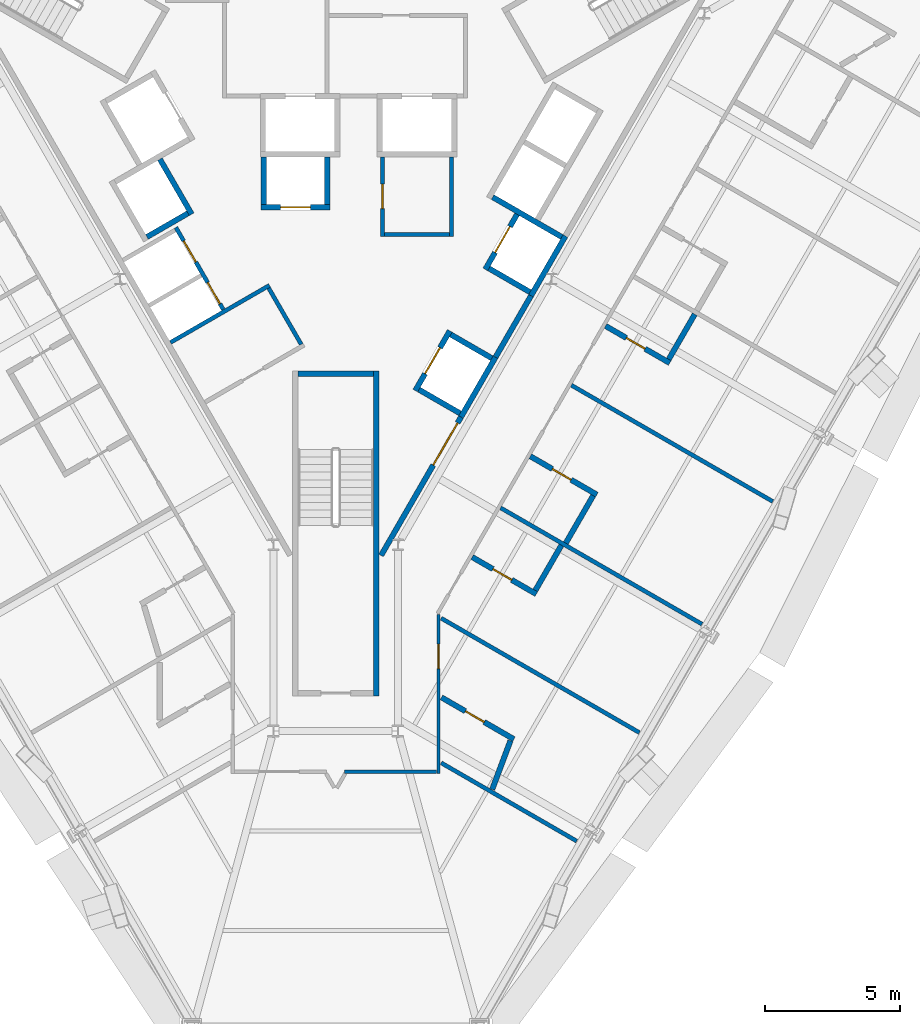
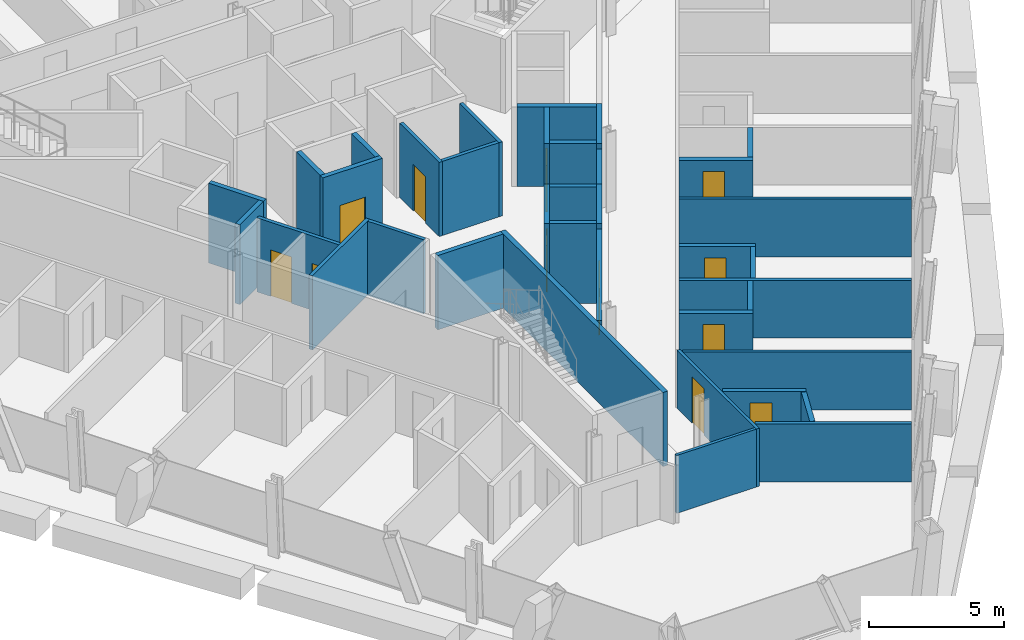
# One storey, part 9 of 15: 37 walls, 12 doors, 12 openings.
"""IFC4 building model written with IfcOpenShell, lengths in metres."""

from ifc_helpers import new_model, si_unit, direction, frame, frame_2d, origin, place, context, subcontext, project, spatial, rectangle, extrude, material, layer, layer_set, type_object, element, fill, save


model = new_model("IFC4")

# Units and contexts
model_context = context("Model", 3, precision=1e-05, world=origin(), true_north=direction((0.0, 1.0)))
body_context = subcontext(model_context, "Body", "Model", "MODEL_VIEW")
ifc_project = project(units=[si_unit("LENGTHUNIT", "METRE"), si_unit("AREAUNIT", "SQUARE_METRE"), si_unit("VOLUMEUNIT", "CUBIC_METRE"), si_unit("PLANEANGLEUNIT", "RADIAN"), si_unit("MASSUNIT", "GRAM", prefix="KILO")], contexts=[model_context])

# Site, building, storey
site_placement = place(None, origin())
site = spatial("IfcSite", under=ifc_project, at=site_placement, CompositionType="ELEMENT")
building_placement = place(site_placement, origin())
building = spatial("IfcBuilding", under=site, at=building_placement, Name="Verrane Prism Tower", CompositionType="ELEMENT")
storey_placement = place(building_placement, frame((0.0, 0.0, 44.0)))
storey = spatial("IfcBuildingStorey", under=building, at=storey_placement, Name="L08", CompositionType="ELEMENT", Elevation=44.0)

# Wall, opening, door
ifc_material_1 = material(Name="Gypsum board partition", Category="other")
ifc_layer_1 = layer(ifc_material_1, 0.199951171875)
ifc_layer_set_1 = layer_set([ifc_layer_1], Name="CW-200 core boundary wall 2 h")
wall_type_1 = type_object("IfcWallType", Name="CW-200 core boundary wall 2 h", PredefinedType="PARTITIONING", material=ifc_layer_set_1)
wall_1_placement = place(storey_placement, frame((1.677490234375, -14.814697265625, 0.0), z_axis=(0.0, 0.0, 1.0), x_axis=(0.49999445743, 0.866028603765, 0.0)))
wall_1 = element("IfcWall", 1, at=wall_1_placement, inside=storey, type_object=wall_type_1, Name="Core boundary wall CW3-010", PredefinedType="PARTITIONING", context=body_context, shape_type="SweptSolid", body=[
    extrude(rectangle(XDim=5.90478515625, YDim=0.199951171875, at=frame_2d((2.952392578125, 0.0))), origin(), (0.0, 0.0, 1.0), 3.35009765625),
])
opening_1_placement = place(wall_1_placement, frame((3.85498046875, 0.0, 0.0)))
opening_1 = element("IfcOpeningElement", 2, at=opening_1_placement, cuts=wall_1, Name="Opening D06530", PredefinedType="OPENING", context=body_context, shape_type="SweptSolid", body=[
    extrude(rectangle(XDim=1.800048828125, YDim=2.10009765625, at=frame_2d((0.89990234375, 1.050048828125))), frame((0.0, 0.10986328125, 0.0), z_axis=(0.0, -1.0, 0.0), x_axis=(1.0, 0.0, 0.0)), (0.0, 0.0, 1.0), 0.219970703125),
])
ifc_material_2 = material(Name="Timber veneered door leaf", Category="wood")
door_type_1 = type_object("IfcDoorType", Name="DR-1800x2100 FD60 double leaf lift lobby", OperationType="NOTDEFINED", PredefinedType="DOOR", material=ifc_material_2)
door_1_placement = place(opening_1_placement, origin())
door_1 = element("IfcDoor", 3, at=door_1_placement, inside=storey, type_object=door_type_1, Name="Lift lobby door D06530", OperationType="DOUBLE_DOOR_SINGLE_SWING", OverallHeight=2.10009765625, OverallWidth=1.800048828125, PredefinedType="DOOR", context=body_context, shape_type="SweptSolid", body=[
    extrude(rectangle(XDim=1.800048828125, YDim=2.10009765625, at=frame_2d((0.89990234375, 1.050048828125))), frame((0.0, 0.02490234375, 0.0), z_axis=(0.0, -1.0, 0.0), x_axis=(1.0, 0.0, 0.0)), (0.0, 0.0, 1.0), 0.050048828125),
])
fill(opening_1, door_1)

# Walls
wall_2_placement = place(storey_placement, frame((5.906005859375, -7.489990234375, 0.0), z_axis=(0.0, 0.0, 1.0), x_axis=(0.500252727967, 0.865879442048, 0.0)))
element("IfcWall", 4, at=wall_2_placement, inside=storey, type_object=wall_type_1, Name="Core boundary wall CW3-012", PredefinedType="PARTITIONING", context=body_context, shape_type="SweptSolid", body=[
    extrude(rectangle(XDim=2.616943359375, YDim=0.199951171875, at=frame_2d((1.30859375, 0.0))), origin(), (0.0, 0.0, 1.0), 3.35009765625),
])
ifc_material_3 = material(Name="Concrete C40/50", Category="concrete")
ifc_layer_2 = layer(ifc_material_3, 0.199951171875)
ifc_layer_set_2 = layer_set([ifc_layer_2], Name="CW-200 stair core wall concrete C40/50 3 h")
wall_type_2 = type_object("IfcWallType", Name="CW-200 stair core wall concrete C40/50 3 h", PredefinedType="PARTITIONING", material=ifc_layer_set_2)
wall_3_placement = place(storey_placement, frame((1.5, -8.0, 0.0), z_axis=(0.0, 0.0, 1.0), x_axis=(0.0, -1.0, 0.0)))
element("IfcWall", 5, at=wall_3_placement, inside=storey, type_object=wall_type_2, Name="Stair 3 enclosure wall", PredefinedType="PARTITIONING", context=body_context, shape_type="SweptSolid", body=[
    extrude(rectangle(XDim=12.0, YDim=0.199951171875, at=frame_2d((6.0, 0.0))), origin(), (0.0, 0.0, 1.0), 3.35009765625),
])
wall_4_placement = place(storey_placement, frame((-1.39990234375, -8.10009765625, 0.0), z_axis=(0.0, 0.0, 1.0), x_axis=(1.0, 0.0, 0.0)))
element("IfcWall", 6, at=wall_4_placement, inside=storey, type_object=wall_type_2, Name="Stair 3 enclosure wall", PredefinedType="PARTITIONING", context=body_context, shape_type="SweptSolid", body=[
    extrude(rectangle(XDim=2.7998046875, YDim=0.199951171875, at=frame_2d((1.39990234375, 0.0))), origin(), (0.0, 0.0, 1.0), 3.35009765625),
])

# Wall, opening, door
ifc_material_4 = material(Name="Gypsum board shaft wall assembly", Category="other")
ifc_layer_3 = layer(ifc_material_4, 0.199951171875)
ifc_layer_set_3 = layer_set([ifc_layer_3], Name="HW-200 lift shaft wall 2 h")
wall_type_3 = type_object("IfcWallType", Name="HW-200 lift shaft wall 2 h", PredefinedType="PARTITIONING", material=ifc_layer_set_3)
wall_5_placement = place(storey_placement, frame((-2.7548828125, -1.949951171875, 0.0), z_axis=(0.0, 0.0, 1.0), x_axis=(1.0, 0.0, 0.0)))
wall_5 = element("IfcWall", 7, at=wall_5_placement, inside=storey, type_object=wall_type_3, Name="Lift shaft wall", PredefinedType="PARTITIONING", context=body_context, shape_type="SweptSolid", body=[
    extrude(rectangle(XDim=2.5498046875, YDim=0.199951171875, at=frame_2d((1.27490234375, 0.0))), origin(), (0.0, 0.0, 1.0), 3.60009765625),
])
opening_2_placement = place(wall_5_placement, frame((0.72509765625, 0.0, 0.0)))
opening_2 = element("IfcOpeningElement", 8, at=opening_2_placement, cuts=wall_5, Name="Opening D06508", PredefinedType="OPENING", context=body_context, shape_type="SweptSolid", body=[
    extrude(rectangle(XDim=1.10009765625, YDim=2.10009765625, at=frame_2d((0.550048828125, 1.050048828125))), frame((0.0, 0.10986328125, 0.0), z_axis=(0.0, -1.0, 0.0), x_axis=(1.0, 0.0, 0.0)), (0.0, 0.0, 1.0), 0.219970703125),
])
ifc_material_5 = material(Name="Stainless steel sliding landing door", Category="steel")
door_type_2 = type_object("IfcDoorType", Name="LD-1100x2100 lift landing door FD90 sliding", OperationType="NOTDEFINED", PredefinedType="DOOR", material=ifc_material_5)
door_2_placement = place(opening_2_placement, origin())
door_2 = element("IfcDoor", 9, at=door_2_placement, inside=storey, type_object=door_type_2, Name="Bank A lift 2 landing door", OperationType="SLIDING_TO_RIGHT", OverallHeight=2.10009765625, OverallWidth=1.10009765625, PredefinedType="DOOR", context=body_context, shape_type="SweptSolid", body=[
    extrude(rectangle(XDim=1.10009765625, YDim=2.10009765625, at=frame_2d((0.550048828125, 1.050048828125))), frame((0.0, 0.02490234375, 0.0), z_axis=(0.0, -1.0, 0.0), x_axis=(1.0, 0.0, 0.0)), (0.0, 0.0, 1.0), 0.050048828125),
])
fill(opening_2, door_2)

# Walls
wall_6_placement = place(storey_placement, frame((-6.9697265625, -3.048095703125, 0.0), z_axis=(0.0, 0.0, 1.0), x_axis=(0.866036909293, 0.499980071345, 0.0)))
element("IfcWall", 10, at=wall_6_placement, inside=storey, type_object=wall_type_3, Name="Lift shaft wall", PredefinedType="PARTITIONING", context=body_context, shape_type="SweptSolid", body=[
    extrude(rectangle(XDim=1.75, YDim=0.199951171875, at=frame_2d((0.875, 0.0))), origin(), (0.0, 0.0, 1.0), 3.60009765625),
])
wall_7_placement = place(storey_placement, frame((4.63037109375, -9.69970703125, 0.0), z_axis=(0.0, 0.0, 1.0), x_axis=(0.500062241894, 0.865989465428, 0.0)))
element("IfcWall", 11, at=wall_7_placement, inside=storey, type_object=wall_type_3, Name="Lift shaft wall", PredefinedType="PARTITIONING", context=body_context, shape_type="SweptSolid", body=[
    extrude(rectangle(XDim=2.550048828125, YDim=0.199951171875, at=frame_2d((1.27490234375, 0.0))), origin(), (0.0, 0.0, 1.0), 3.60009765625),
])
wall_8_placement = place(storey_placement, frame((7.215576171875, -5.222412109375, 0.0), z_axis=(0.0, 0.0, 1.0), x_axis=(0.499990435942, 0.866030925526, 0.0)))
element("IfcWall", 12, at=wall_8_placement, inside=storey, type_object=wall_type_3, Name="Lift shaft wall", PredefinedType="PARTITIONING", context=body_context, shape_type="SweptSolid", body=[
    extrude(rectangle(XDim=2.5498046875, YDim=0.199951171875, at=frame_2d((1.27490234375, 0.0))), origin(), (0.0, 0.0, 1.0), 3.60009765625),
])

# Wall, opening, door
wall_9_placement = place(storey_placement, frame((2.941650390625, -8.724853515625, 0.0), z_axis=(0.0, 0.0, 1.0), x_axis=(0.500020783669, 0.866013403995, 0.0)))
wall_9 = element("IfcWall", 13, at=wall_9_placement, inside=storey, type_object=wall_type_3, Name="Lift shaft wall", PredefinedType="PARTITIONING", context=body_context, shape_type="SweptSolid", body=[
    extrude(rectangle(XDim=2.55029296875, YDim=0.199951171875, at=frame_2d((1.275146484375, 0.0))), origin(), (0.0, 0.0, 1.0), 3.60009765625),
])
opening_3_placement = place(wall_9_placement, frame((0.72509765625, 0.0, 0.0)))
opening_3 = element("IfcOpeningElement", 14, at=opening_3_placement, cuts=wall_9, Name="Opening D06510", PredefinedType="OPENING", context=body_context, shape_type="SweptSolid", body=[
    extrude(rectangle(XDim=1.10009765625, YDim=2.10009765625, at=frame_2d((0.550048828125, 1.050048828125))), frame((0.0, 0.10986328125, 0.0), z_axis=(0.0, -1.0, 0.0), x_axis=(1.0, 0.0, 0.0)), (0.0, 0.0, 1.0), 0.219970703125),
])
door_3_placement = place(opening_3_placement, origin())
door_3 = element("IfcDoor", 15, at=door_3_placement, inside=storey, type_object=door_type_2, Name="Bank A lift 4 landing door", OperationType="SLIDING_TO_RIGHT", OverallHeight=2.10009765625, OverallWidth=1.10009765625, PredefinedType="DOOR", context=body_context, shape_type="SweptSolid", body=[
    extrude(rectangle(XDim=1.10009765625, YDim=2.10009765625, at=frame_2d((0.550048828125, 1.050048828125))), frame((0.0, 0.02490234375, 0.0), z_axis=(0.0, -1.0, 0.0), x_axis=(1.0, 0.0, 0.0)), (0.0, 0.0, 1.0), 0.050048828125),
])
fill(opening_3, door_3)

wall_10_placement = place(storey_placement, frame((5.52685546875, -4.247314453125, 0.0), z_axis=(0.0, 0.0, 1.0), x_axis=(0.499938297808, 0.866061024631, 0.0)))
wall_10 = element("IfcWall", 16, at=wall_10_placement, inside=storey, type_object=wall_type_3, Name="Lift shaft wall", PredefinedType="PARTITIONING", context=body_context, shape_type="SweptSolid", body=[
    extrude(rectangle(XDim=2.349853515625, YDim=0.199951171875, at=frame_2d((1.1748046875, 0.0))), origin(), (0.0, 0.0, 1.0), 3.60009765625),
])
opening_4_placement = place(wall_10_placement, frame((0.72509765625, 0.0, 0.0)))
opening_4 = element("IfcOpeningElement", 17, at=opening_4_placement, cuts=wall_10, Name="Opening D06511", PredefinedType="OPENING", context=body_context, shape_type="SweptSolid", body=[
    extrude(rectangle(XDim=1.10009765625, YDim=2.10009765625, at=frame_2d((0.550048828125, 1.050048828125))), frame((0.0, 0.10986328125, 0.0), z_axis=(0.0, -1.0, 0.0), x_axis=(1.0, 0.0, 0.0)), (0.0, 0.0, 1.0), 0.219970703125),
])
door_4_placement = place(opening_4_placement, origin())
door_4 = element("IfcDoor", 18, at=door_4_placement, inside=storey, type_object=door_type_2, Name="Bank A lift 5 landing door", OperationType="SLIDING_TO_LEFT", OverallHeight=2.10009765625, OverallWidth=1.10009765625, PredefinedType="DOOR", context=body_context, shape_type="SweptSolid", body=[
    extrude(rectangle(XDim=1.10009765625, YDim=2.10009765625, at=frame_2d((0.550048828125, 1.050048828125))), frame((0.0, 0.02490234375, 0.0), z_axis=(0.0, -1.0, 0.0), x_axis=(1.0, 0.0, 0.0)), (0.0, 0.0, 1.0), 0.050048828125),
])
fill(opening_4, door_4)

# Walls
for number, where, z_axis, x_axis, name in (
    (19, (-0.304931640625, -1.85009765625, 0.0), (0.0, 0.0, 1.0), (0.0, 1.0, 0.0), "Lift shaft wall"),
    (20, (-2.655029296875, -1.85009765625, 0.0), (0.0, 0.0, 1.0), (0.0, 1.0, 0.0), "Lift shaft wall"),
):
    element("IfcWall", number, at=place(storey_placement, frame(where, z_axis=z_axis, x_axis=x_axis)), inside=storey, type_object=wall_type_3, Name=name, PredefinedType="PARTITIONING", context=body_context, shape_type="SweptSolid", body=[
        extrude(rectangle(XDim=1.75, YDim=0.199951171875, at=frame_2d((0.875, 0.0))), origin(), (0.0, 0.0, 1.0), 3.60009765625),
    ])
wall_11_placement = place(storey_placement, frame((-5.317626953125, -2.209716796875, 0.0), z_axis=(0.0, 0.0, 1.0), x_axis=(-0.499938297808, 0.866061024631, 0.0)))
element("IfcWall", 21, at=wall_11_placement, inside=storey, type_object=wall_type_3, Name="Lift shaft wall", PredefinedType="PARTITIONING", context=body_context, shape_type="SweptSolid", body=[
    extrude(rectangle(XDim=2.349853515625, YDim=0.199951171875, at=frame_2d((1.1748046875, 0.0))), origin(), (0.0, 0.0, 1.0), 3.60009765625),
])
wall_12_placement = place(storey_placement, frame((8.35400390625, -3.050537109375, 0.0), z_axis=(0.0, 0.0, 1.0), x_axis=(-0.866060182126, 0.499939757307, 0.0)))
element("IfcWall", 22, at=wall_12_placement, inside=storey, type_object=wall_type_3, Name="Lift shaft wall", PredefinedType="PARTITIONING", context=body_context, shape_type="SweptSolid", body=[
    extrude(rectangle(XDim=2.949951171875, YDim=0.199951171875, at=frame_2d((1.47509765625, 0.0))), origin(), (0.0, 0.0, 1.0), 3.60009765625),
])
wall_13_placement = place(storey_placement, frame((7.178955078125, -5.085693359375, 0.0), z_axis=(0.0, 0.0, 1.0), x_axis=(-0.866036909293, 0.499980071345, 0.0)))
element("IfcWall", 23, at=wall_13_placement, inside=storey, type_object=wall_type_3, Name="Lift shaft wall", PredefinedType="PARTITIONING", context=body_context, shape_type="SweptSolid", body=[
    extrude(rectangle(XDim=1.75, YDim=0.199951171875, at=frame_2d((0.875, 0.0))), origin(), (0.0, 0.0, 1.0), 3.60009765625),
])
wall_14_placement = place(storey_placement, frame((5.768798828125, -7.528076171875, 0.0), z_axis=(0.0, 0.0, 1.0), x_axis=(-0.866002029911, 0.500040482552, 0.0)))
element("IfcWall", 24, at=wall_14_placement, inside=storey, type_object=wall_type_3, Name="Lift shaft wall", PredefinedType="PARTITIONING", context=body_context, shape_type="SweptSolid", body=[
    extrude(rectangle(XDim=1.749755859375, YDim=0.199951171875, at=frame_2d((0.875, 0.0))), origin(), (0.0, 0.0, 1.0), 3.60009765625),
])
wall_15_placement = place(storey_placement, frame((4.593994140625, -9.563232421875, 0.0), z_axis=(0.0, 0.0, 1.0), x_axis=(-0.866036909293, 0.499980071345, 0.0)))
element("IfcWall", 25, at=wall_15_placement, inside=storey, type_object=wall_type_3, Name="Lift shaft wall", PredefinedType="PARTITIONING", context=body_context, shape_type="SweptSolid", body=[
    extrude(rectangle(XDim=1.75, YDim=0.199951171875, at=frame_2d((0.875, 0.0))), origin(), (0.0, 0.0, 1.0), 3.60009765625),
])
ifc_material_6 = material(Name="Gypsum board partition", Category="other")
ifc_layer_4 = layer(ifc_material_6, 0.125)
ifc_layer_set_4 = layer_set([ifc_layer_4], Name="PW-125 corridor wall 1 h")
wall_type_4 = type_object("IfcWallType", Name="PW-125 corridor wall 1 h", PredefinedType="PARTITIONING", material=ifc_layer_set_4)
wall_16_placement = place(storey_placement, frame((0.33251953125, -22.797119140625, 0.0), z_axis=(0.0, 0.0, 1.0), x_axis=(1.0, 0.0, 0.0)))
element("IfcWall", 26, at=wall_16_placement, inside=storey, type_object=wall_type_4, Name="Corridor wall 056", PredefinedType="PARTITIONING", context=body_context, shape_type="SweptSolid", body=[
    extrude(rectangle(XDim=3.3994140625, YDim=0.125, at=frame_2d((1.69970703125, 0.0))), origin(), (0.0, 0.0, 1.0), 2.613037109375),
])

# Wall, opening, door
wall_17_placement = place(storey_placement, frame((3.797119140625, -16.989013671875, 0.0), z_axis=(0.0, 0.0, 1.0), x_axis=(0.0, -1.0, 0.0)))
wall_17 = element("IfcWall", 27, at=wall_17_placement, inside=storey, type_object=wall_type_4, Name="Corridor wall 058", PredefinedType="PARTITIONING", context=body_context, shape_type="SweptSolid", body=[
    extrude(rectangle(XDim=5.87060546875, YDim=0.125, at=frame_2d((2.935302734375, 0.0))), origin(), (0.0, 0.0, 1.0), 2.613037109375),
])
opening_5_placement = place(wall_17_placement, frame((1.10302734375, 0.0, 0.0)))
opening_5 = element("IfcOpeningElement", 28, at=opening_5_placement, cuts=wall_17, Name="Opening D06034", PredefinedType="OPENING", context=body_context, shape_type="SweptSolid", body=[
    extrude(rectangle(XDim=0.89990234375, YDim=2.10009765625, at=frame_2d((0.449951171875, 1.050048828125))), frame((0.0, 0.072509765625, 0.0), z_axis=(0.0, -1.0, 0.0), x_axis=(1.0, 0.0, 0.0)), (0.0, 0.0, 1.0), 0.14501953125),
])
ifc_material_7 = material(Name="Timber veneered door leaf", Category="wood")
door_type_3 = type_object("IfcDoorType", Name="DR-900x2100 FD20 single leaf unit", OperationType="NOTDEFINED", PredefinedType="DOOR", material=ifc_material_7)
door_5_placement = place(opening_5_placement, origin())
door_5 = element("IfcDoor", 29, at=door_5_placement, inside=storey, type_object=door_type_3, Name="Guest Room door", OperationType="SINGLE_SWING_LEFT", OverallHeight=2.10009765625, OverallWidth=0.89990234375, PredefinedType="DOOR", context=body_context, shape_type="SweptSolid", body=[
    extrude(rectangle(XDim=0.89990234375, YDim=2.10009765625, at=frame_2d((0.449951171875, 1.050048828125))), frame((0.0, 0.02490234375, 0.0), z_axis=(0.0, -1.0, 0.0), x_axis=(1.0, 0.0, 0.0)), (0.0, 0.0, 1.0), 0.050048828125),
])
fill(opening_5, door_5)

# Walls
ifc_material_8 = material(Name="Gypsum board partition", Category="other")
ifc_layer_5 = layer(ifc_material_8, 0.14990234375)
ifc_layer_set_5 = layer_set([ifc_layer_5], Name="PW-150 demising wall 1 h")
wall_type_5 = type_object("IfcWallType", Name="PW-150 demising wall 1 h", PredefinedType="PARTITIONING", material=ifc_layer_set_5)
wall_18_placement = place(storey_placement, frame((3.89697265625, -22.474853515625, 0.0), z_axis=(0.0, 0.0, 1.0), x_axis=(0.866025977343, -0.499999006567, 0.0)))
element("IfcWall", 30, at=wall_18_placement, inside=storey, type_object=wall_type_5, Name="Demising wall 059", PredefinedType="PARTITIONING", context=body_context, shape_type="SweptSolid", body=[
    extrude(rectangle(XDim=5.7822265625, YDim=0.14990234375, at=frame_2d((2.89111328125, 0.0))), origin(), (0.0, 0.0, 1.0), 2.613037109375),
])
wall_19_placement = place(storey_placement, frame((3.89697265625, -17.1318359375, 0.0), z_axis=(0.0, 0.0, 1.0), x_axis=(0.866084603656, -0.499897448793, 0.0)))
element("IfcWall", 31, at=wall_19_placement, inside=storey, type_object=wall_type_5, Name="Demising wall 061", PredefinedType="PARTITIONING", context=body_context, shape_type="SweptSolid", body=[
    extrude(rectangle(XDim=8.453857421875, YDim=0.14990234375, at=frame_2d((4.22705078125, 0.0))), origin(), (0.0, 0.0, 1.0), 2.613037109375),
])
wall_20_placement = place(storey_placement, frame((6.092041015625, -13.05517578125, 0.0), z_axis=(0.0, 0.0, 1.0), x_axis=(0.866002910178, -0.500038958046, 0.0)))
element("IfcWall", 32, at=wall_20_placement, inside=storey, type_object=wall_type_5, Name="Demising wall 066", PredefinedType="PARTITIONING", context=body_context, shape_type="SweptSolid", body=[
    extrude(rectangle(XDim=8.591064453125, YDim=0.14990234375, at=frame_2d((4.29541015625, 0.0))), origin(), (0.0, 0.0, 1.0), 2.613037109375),
])
wall_21_placement = place(storey_placement, frame((8.70703125, -8.525146484375, 0.0), z_axis=(0.0, 0.0, 1.0), x_axis=(0.866036528751, -0.499980730498, 0.0)))
element("IfcWall", 33, at=wall_21_placement, inside=storey, type_object=wall_type_5, Name="Demising wall 072", PredefinedType="PARTITIONING", context=body_context, shape_type="SweptSolid", body=[
    extrude(rectangle(XDim=8.591552734375, YDim=0.14990234375, at=frame_2d((4.2958984375, 0.0))), origin(), (0.0, 0.0, 1.0), 2.613037109375),
])

# Wall, opening, door
ifc_material_9 = material(Name="Gypsum board partition", Category="other")
ifc_layer_6 = layer(ifc_material_9, 0.199951171875)
ifc_layer_set_6 = layer_set([ifc_layer_6], Name="PW-200 plumbing wall")
wall_type_6 = type_object("IfcWallType", Name="PW-200 plumbing wall", PredefinedType="PARTITIONING", material=ifc_layer_set_6)
wall_22_placement = place(storey_placement, frame((6.58349609375, -21.60107421875, 0.0), z_axis=(0.0, 0.0, 1.0), x_axis=(-0.865981493415, 0.500076047279, 0.0)))
wall_22 = element("IfcWall", 34, at=wall_22_placement, inside=storey, type_object=wall_type_6, Name="Plumbing wall 060", PredefinedType="PARTITIONING", context=body_context, shape_type="SweptSolid", body=[
    extrude(rectangle(XDim=3.087890625, YDim=0.199951171875, at=frame_2d((1.5439453125, 0.0))), origin(), (0.0, 0.0, 1.0), 2.613037109375),
])
opening_6_placement = place(wall_22_placement, frame((1.267822265625, 0.0, 0.0)))
opening_6 = element("IfcOpeningElement", 35, at=opening_6_placement, cuts=wall_22, Name="Opening D06035", PredefinedType="OPENING", context=body_context, shape_type="SweptSolid", body=[
    extrude(rectangle(XDim=0.800048828125, YDim=2.10009765625, at=frame_2d((0.39990234375, 1.050048828125))), frame((0.0, 0.10986328125, 0.0), z_axis=(0.0, -1.0, 0.0), x_axis=(1.0, 0.0, 0.0)), (0.0, 0.0, 1.0), 0.219970703125),
])
ifc_material_10 = material(Name="Timber veneered door leaf", Category="wood")
door_type_4 = type_object("IfcDoorType", Name="DR-800x2100 single leaf bath", OperationType="NOTDEFINED", PredefinedType="DOOR", material=ifc_material_10)
door_6_placement = place(opening_6_placement, origin())
door_6 = element("IfcDoor", 36, at=door_6_placement, inside=storey, type_object=door_type_4, Name="En-Suite door", OperationType="SINGLE_SWING_RIGHT", OverallHeight=2.10009765625, OverallWidth=0.800048828125, PredefinedType="DOOR", context=body_context, shape_type="SweptSolid", body=[
    extrude(rectangle(XDim=0.800048828125, YDim=2.10009765625, at=frame_2d((0.39990234375, 1.050048828125))), frame((0.0, 0.02490234375, 0.0), z_axis=(0.0, -1.0, 0.0), x_axis=(1.0, 0.0, 0.0)), (0.0, 0.0, 1.0), 0.050048828125),
])
fill(opening_6, door_6)

wall_23_placement = place(storey_placement, frame((5.042236328125, -14.873291015625, 0.0), z_axis=(0.0, 0.0, 1.0), x_axis=(0.866005850709, -0.50003386539, 0.0)))
wall_23 = element("IfcWall", 37, at=wall_23_placement, inside=storey, type_object=wall_type_6, Name="Plumbing wall 063", PredefinedType="PARTITIONING", context=body_context, shape_type="SweptSolid", body=[
    extrude(rectangle(XDim=2.737060546875, YDim=0.199951171875, at=frame_2d((1.36865234375, 0.0))), origin(), (0.0, 0.0, 1.0), 2.613037109375),
])
opening_7_placement = place(wall_23_placement, frame((0.887451171875, 0.0, 0.0)))
opening_7 = element("IfcOpeningElement", 38, at=opening_7_placement, cuts=wall_23, Name="Opening D06037", PredefinedType="OPENING", context=body_context, shape_type="SweptSolid", body=[
    extrude(rectangle(XDim=0.800048828125, YDim=2.10009765625, at=frame_2d((0.39990234375, 1.050048828125))), frame((0.0, 0.10986328125, 0.0), z_axis=(0.0, -1.0, 0.0), x_axis=(1.0, 0.0, 0.0)), (0.0, 0.0, 1.0), 0.219970703125),
])
door_7_placement = place(opening_7_placement, origin())
door_7 = element("IfcDoor", 39, at=door_7_placement, inside=storey, type_object=door_type_4, Name="En-Suite door", OperationType="SINGLE_SWING_LEFT", OverallHeight=2.10009765625, OverallWidth=0.800048828125, PredefinedType="DOOR", context=body_context, shape_type="SweptSolid", body=[
    extrude(rectangle(XDim=0.800048828125, YDim=2.10009765625, at=frame_2d((0.39990234375, 1.050048828125))), frame((0.0, 0.02490234375, 0.0), z_axis=(0.0, -1.0, 0.0), x_axis=(1.0, 0.0, 0.0)), (0.0, 0.0, 1.0), 0.050048828125),
])
fill(opening_7, door_7)

# Wall
wall_24_placement = place(storey_placement, frame((5.782470703125, -23.457275390625, 0.0), z_axis=(0.0, 0.0, 1.0), x_axis=(0.350942351116, 0.936397066523, 0.0)))
element("IfcWall", 40, at=wall_24_placement, inside=storey, type_object=wall_type_6, Name="Plumbing wall 065", PredefinedType="PARTITIONING", context=body_context, shape_type="SweptSolid", body=[
    extrude(rectangle(XDim=1.920654296875, YDim=0.199951171875, at=frame_2d((0.96044921875, 0.0))), origin(), (0.0, 0.0, 1.0), 2.613037109375),
])

# Wall, opening, door
wall_25_placement = place(storey_placement, frame((9.649658203125, -12.569091796875, 0.0), z_axis=(0.0, 0.0, 1.0), x_axis=(-0.866010792954, 0.500025305846, 0.0)))
wall_25 = element("IfcWall", 41, at=wall_25_placement, inside=storey, type_object=wall_type_6, Name="Plumbing wall 067", PredefinedType="PARTITIONING", context=body_context, shape_type="SweptSolid", body=[
    extrude(rectangle(XDim=2.837646484375, YDim=0.199951171875, at=frame_2d((1.4189453125, 0.0))), origin(), (0.0, 0.0, 1.0), 2.613037109375),
])
opening_8_placement = place(wall_25_placement, frame((1.10009765625, 0.0, 0.0)))
opening_8 = element("IfcOpeningElement", 42, at=opening_8_placement, cuts=wall_25, Name="Opening D06039", PredefinedType="OPENING", context=body_context, shape_type="SweptSolid", body=[
    extrude(rectangle(XDim=0.800048828125, YDim=2.10009765625, at=frame_2d((0.39990234375, 1.050048828125))), frame((0.0, 0.10986328125, 0.0), z_axis=(0.0, -1.0, 0.0), x_axis=(1.0, 0.0, 0.0)), (0.0, 0.0, 1.0), 0.219970703125),
])
door_8_placement = place(opening_8_placement, origin())
door_8 = element("IfcDoor", 43, at=door_8_placement, inside=storey, type_object=door_type_4, Name="En-Suite door", OperationType="SINGLE_SWING_RIGHT", OverallHeight=2.10009765625, OverallWidth=0.800048828125, PredefinedType="DOOR", context=body_context, shape_type="SweptSolid", body=[
    extrude(rectangle(XDim=0.800048828125, YDim=2.10009765625, at=frame_2d((0.39990234375, 1.050048828125))), frame((0.0, 0.02490234375, 0.0), z_axis=(0.0, -1.0, 0.0), x_axis=(1.0, 0.0, 0.0)), (0.0, 0.0, 1.0), 0.050048828125),
])
fill(opening_8, door_8)

# Walls
wall_26_placement = place(storey_placement, frame((7.3759765625, -16.10546875, 0.0), z_axis=(0.0, 0.0, 1.0), x_axis=(0.500095816526, 0.865970077019, 0.0)))
element("IfcWall", 44, at=wall_26_placement, inside=storey, type_object=wall_type_6, Name="Plumbing wall 068", PredefinedType="PARTITIONING", context=body_context, shape_type="SweptSolid", body=[
    extrude(rectangle(XDim=1.92431640625, YDim=0.199951171875, at=frame_2d((0.962158203125, 0.0))), origin(), (0.0, 0.0, 1.0), 2.613037109375),
])
wall_27_placement = place(storey_placement, frame((8.50048828125, -14.359130859375, 0.0), z_axis=(0.0, 0.0, 1.0), x_axis=(0.500042536776, 0.866000843773, 0.0)))
element("IfcWall", 45, at=wall_27_placement, inside=storey, type_object=wall_type_6, Name="Plumbing wall 069", PredefinedType="PARTITIONING", context=body_context, shape_type="SweptSolid", body=[
    extrude(rectangle(XDim=2.024658203125, YDim=0.199951171875, at=frame_2d((1.01220703125, 0.0))), origin(), (0.0, 0.0, 1.0), 2.613037109375),
])

# Wall, opening, door
wall_28_placement = place(storey_placement, frame((9.97119140625, -6.336181640625, 0.0), z_axis=(0.0, 0.0, 1.0), x_axis=(0.86596722502, -0.50010075504, 0.0)))
wall_28 = element("IfcWall", 46, at=wall_28_placement, inside=storey, type_object=wall_type_6, Name="Plumbing wall 073", PredefinedType="PARTITIONING", context=body_context, shape_type="SweptSolid", body=[
    extrude(rectangle(XDim=2.7373046875, YDim=0.199951171875, at=frame_2d((1.36865234375, 0.0))), origin(), (0.0, 0.0, 1.0), 2.613037109375),
])
opening_9_placement = place(wall_28_placement, frame((0.887451171875, 0.0, 0.0)))
opening_9 = element("IfcOpeningElement", 47, at=opening_9_placement, cuts=wall_28, Name="Opening D06041", PredefinedType="OPENING", context=body_context, shape_type="SweptSolid", body=[
    extrude(rectangle(XDim=0.800048828125, YDim=2.10009765625, at=frame_2d((0.39990234375, 1.050048828125))), frame((0.0, 0.10986328125, 0.0), z_axis=(0.0, -1.0, 0.0), x_axis=(1.0, 0.0, 0.0)), (0.0, 0.0, 1.0), 0.219970703125),
])
door_9_placement = place(opening_9_placement, origin())
door_9 = element("IfcDoor", 48, at=door_9_placement, inside=storey, type_object=door_type_4, Name="En-Suite door", OperationType="SINGLE_SWING_LEFT", OverallHeight=2.10009765625, OverallWidth=0.800048828125, PredefinedType="DOOR", context=body_context, shape_type="SweptSolid", body=[
    extrude(rectangle(XDim=0.800048828125, YDim=2.10009765625, at=frame_2d((0.39990234375, 1.050048828125))), frame((0.0, 0.02490234375, 0.0), z_axis=(0.0, -1.0, 0.0), x_axis=(1.0, 0.0, 0.0)), (0.0, 0.0, 1.0), 0.050048828125),
])
fill(opening_9, door_9)

# Walls
wall_29_placement = place(storey_placement, frame((12.304931640625, -7.568359375, 0.0), z_axis=(0.0, 0.0, 1.0), x_axis=(0.500269123289, 0.865869969617, 0.0)))
element("IfcWall", 49, at=wall_29_placement, inside=storey, type_object=wall_type_6, Name="Plumbing wall 078", PredefinedType="PARTITIONING", context=body_context, shape_type="SweptSolid", body=[
    extrude(rectangle(XDim=1.919921875, YDim=0.199951171875, at=frame_2d((0.9599609375, 0.0))), origin(), (0.0, 0.0, 1.0), 2.613037109375),
])
ifc_material_11 = material(Name="Gypsum board partition", Category="other")
ifc_layer_7 = layer(ifc_material_11, 0.14990234375)
ifc_layer_set_7 = layer_set([ifc_layer_7], Name="RS-150 riser enclosure wall 1 h")
wall_type_7 = type_object("IfcWallType", Name="RS-150 riser enclosure wall 1 h", PredefinedType="PARTITIONING", material=ifc_layer_set_7)
wall_30_placement = place(storey_placement, frame((-6.10009765625, -6.945556640625, 0.0), z_axis=(0.0, 0.0, 1.0), x_axis=(0.866038200431, 0.499977834903, 0.0)))
element("IfcWall", 50, at=wall_30_placement, inside=storey, type_object=wall_type_7, Name="Riser wall RS3-015", PredefinedType="PARTITIONING", context=body_context, shape_type="SweptSolid", body=[
    extrude(rectangle(XDim=4.220458984375, YDim=0.14990234375, at=frame_2d((2.1103515625, 0.0))), origin(), (0.0, 0.0, 1.0), 3.35009765625),
])

# Wall, openings, doors
wall_31_placement = place(storey_placement, frame((-4.152099609375, -5.728759765625, 0.0), z_axis=(0.0, 0.0, 1.0), x_axis=(-0.500024287448, 0.866011380966, 0.0)))
wall_31 = element("IfcWall", 51, at=wall_31_placement, inside=storey, type_object=wall_type_7, Name="Riser wall RS3-016", PredefinedType="PARTITIONING", context=body_context, shape_type="SweptSolid", body=[
    extrude(rectangle(XDim=3.500732421875, YDim=0.14990234375, at=frame_2d((1.75048828125, 0.0))), origin(), (0.0, 0.0, 1.0), 3.35009765625),
])
opening_10_placement = place(wall_31_placement, frame((2.025634765625, 0.0, 0.0)))
opening_10 = element("IfcOpeningElement", 52, at=opening_10_placement, cuts=wall_31, Name="Opening D06525", PredefinedType="OPENING", context=body_context, shape_type="SweptSolid", body=[
    extrude(rectangle(XDim=0.89990234375, YDim=2.10009765625, at=frame_2d((0.449951171875, 1.050048828125))), frame((0.0, 0.0849609375, 0.0), z_axis=(0.0, -1.0, 0.0), x_axis=(1.0, 0.0, 0.0)), (0.0, 0.0, 1.0), 0.169921875),
])
opening_11_placement = place(wall_31_placement, frame((0.247802734375, 0.0, 0.0)))
opening_11 = element("IfcOpeningElement", 53, at=opening_11_placement, cuts=wall_31, Name="Opening D06526", PredefinedType="OPENING", context=body_context, shape_type="SweptSolid", body=[
    extrude(rectangle(XDim=0.89990234375, YDim=2.10009765625, at=frame_2d((0.449951171875, 1.050048828125))), frame((0.0, 0.0849609375, 0.0), z_axis=(0.0, -1.0, 0.0), x_axis=(1.0, 0.0, 0.0)), (0.0, 0.0, 1.0), 0.169921875),
])
ifc_material_12 = material(Name="Timber veneered door leaf", Category="wood")
door_type_5 = type_object("IfcDoorType", Name="DR-900x2100 FD60 single leaf riser", OperationType="NOTDEFINED", PredefinedType="DOOR", material=ifc_material_12)
door_10_placement = place(opening_10_placement, origin())
door_10 = element("IfcDoor", 54, at=door_10_placement, inside=storey, type_object=door_type_5, Name="Riser door D06525", OperationType="SINGLE_SWING_RIGHT", OverallHeight=2.10009765625, OverallWidth=0.89990234375, PredefinedType="DOOR", context=body_context, shape_type="SweptSolid", body=[
    extrude(rectangle(XDim=0.89990234375, YDim=2.10009765625, at=frame_2d((0.449951171875, 1.050048828125))), frame((0.0, 0.02490234375, 0.0), z_axis=(0.0, -1.0, 0.0), x_axis=(1.0, 0.0, 0.0)), (0.0, 0.0, 1.0), 0.050048828125),
])
fill(opening_10, door_10)
door_11_placement = place(opening_11_placement, origin())
door_11 = element("IfcDoor", 55, at=door_11_placement, inside=storey, type_object=door_type_5, Name="Riser door D06526", OperationType="SINGLE_SWING_LEFT", OverallHeight=2.10009765625, OverallWidth=0.89990234375, PredefinedType="DOOR", context=body_context, shape_type="SweptSolid", body=[
    extrude(rectangle(XDim=0.89990234375, YDim=2.10009765625, at=frame_2d((0.449951171875, 1.050048828125))), frame((0.0, 0.02490234375, 0.0), z_axis=(0.0, -1.0, 0.0), x_axis=(1.0, 0.0, 0.0)), (0.0, 0.0, 1.0), 0.050048828125),
])
fill(opening_11, door_11)

# Wall
wall_32_placement = place(storey_placement, frame((-2.472412109375, -4.93798828125, 0.0), z_axis=(0.0, 0.0, 1.0), x_axis=(0.500045362686, -0.865999212041, 0.0)))
element("IfcWall", 56, at=wall_32_placement, inside=storey, type_object=wall_type_7, Name="Riser wall RS3-018", PredefinedType="PARTITIONING", context=body_context, shape_type="SweptSolid", body=[
    extrude(rectangle(XDim=2.399658203125, YDim=0.14990234375, at=frame_2d((1.19970703125, 0.0))), origin(), (0.0, 0.0, 1.0), 3.35009765625),
])

# Wall, opening, door
wall_33_placement = place(storey_placement, frame((1.72509765625, -0.10205078125, 0.0), z_axis=(0.0, 0.0, 1.0), x_axis=(0.0, -1.0, 0.0)))
wall_33 = element("IfcWall", 57, at=wall_33_placement, inside=storey, type_object=wall_type_7, Name="Riser wall RS3-019", PredefinedType="PARTITIONING", context=body_context, shape_type="SweptSolid", body=[
    extrude(rectangle(XDim=2.9228515625, YDim=0.14990234375, at=frame_2d((1.46142578125, 0.0))), origin(), (0.0, 0.0, 1.0), 3.35009765625),
])
opening_12_placement = place(wall_33_placement, frame((0.998046875, 0.0, 0.0)))
opening_12 = element("IfcOpeningElement", 58, at=opening_12_placement, cuts=wall_33, Name="Opening D06531", PredefinedType="OPENING", context=body_context, shape_type="SweptSolid", body=[
    extrude(rectangle(XDim=0.89990234375, YDim=2.10009765625, at=frame_2d((0.449951171875, 1.050048828125))), frame((0.0, 0.0849609375, 0.0), z_axis=(0.0, -1.0, 0.0), x_axis=(1.0, 0.0, 0.0)), (0.0, 0.0, 1.0), 0.169921875),
])
ifc_material_13 = material(Name="Timber veneered door leaf", Category="wood")
door_type_6 = type_object("IfcDoorType", Name="DR-900x2100 FD20 single leaf store", OperationType="NOTDEFINED", PredefinedType="DOOR", material=ifc_material_13)
door_12_placement = place(opening_12_placement, origin())
door_12 = element("IfcDoor", 59, at=door_12_placement, inside=storey, type_object=door_type_6, Name="Room door D06531", OperationType="SINGLE_SWING_LEFT", OverallHeight=2.10009765625, OverallWidth=0.89990234375, PredefinedType="DOOR", context=body_context, shape_type="SweptSolid", body=[
    extrude(rectangle(XDim=0.89990234375, YDim=2.10009765625, at=frame_2d((0.449951171875, 1.050048828125))), frame((0.0, 0.02490234375, 0.0), z_axis=(0.0, -1.0, 0.0), x_axis=(1.0, 0.0, 0.0)), (0.0, 0.0, 1.0), 0.050048828125),
])
fill(opening_12, door_12)

# Walls
wall_34_placement = place(storey_placement, frame((1.800048828125, -2.949951171875, 0.0), z_axis=(0.0, 0.0, 1.0), x_axis=(1.0, 0.0, 0.0)))
element("IfcWall", 60, at=wall_34_placement, inside=storey, type_object=wall_type_7, Name="Riser wall RS3-020", PredefinedType="PARTITIONING", context=body_context, shape_type="SweptSolid", body=[
    extrude(rectangle(XDim=2.39990234375, YDim=0.14990234375, at=frame_2d((1.199951171875, 0.0))), origin(), (0.0, 0.0, 1.0), 3.35009765625),
])
wall_35_placement = place(storey_placement, frame((4.27490234375, -3.02490234375, 0.0), z_axis=(0.0, 0.0, 1.0), x_axis=(0.0, 1.0, 0.0)))
element("IfcWall", 61, at=wall_35_placement, inside=storey, type_object=wall_type_7, Name="Riser wall RS3-021", PredefinedType="PARTITIONING", context=body_context, shape_type="SweptSolid", body=[
    extrude(rectangle(XDim=2.9228515625, YDim=0.14990234375, at=frame_2d((1.46142578125, 0.0))), origin(), (0.0, 0.0, 1.0), 3.35009765625),
])

save(model, "model.ifc")
